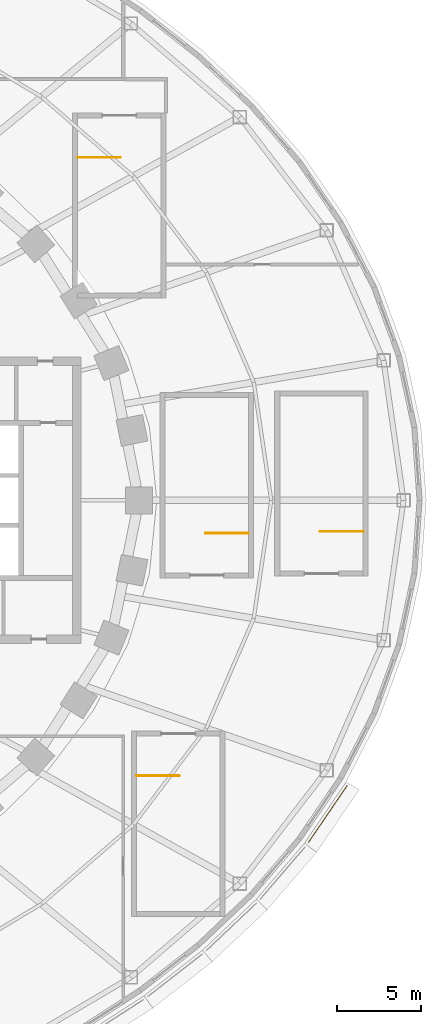
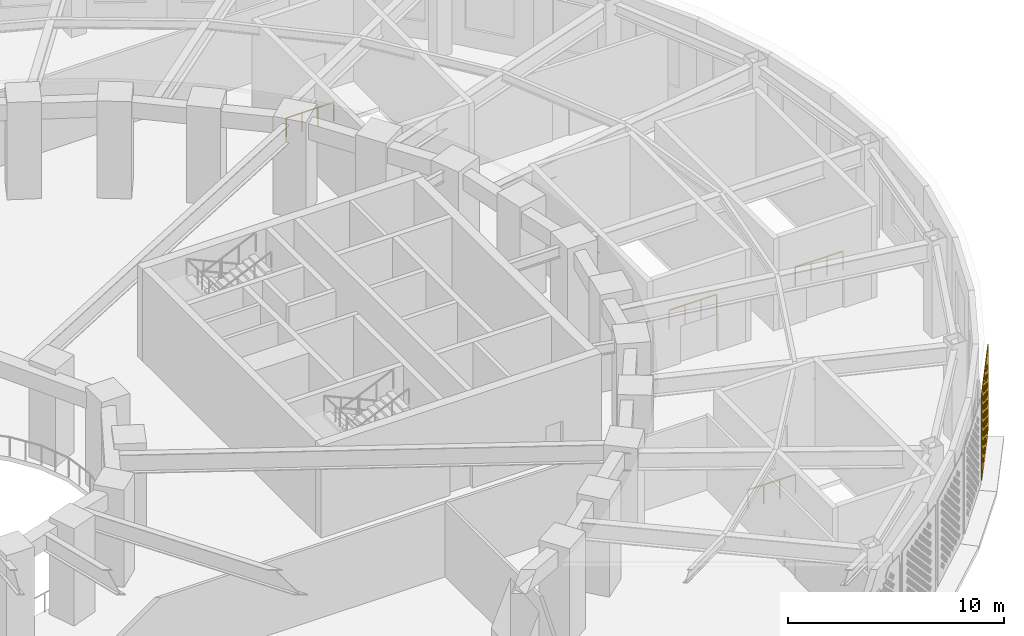
# One storey, part 61 of 63: 4 railings, 1 covering.
"""IFC4 building model written with IfcOpenShell, lengths in metres."""

from ifc_helpers import new_model, si_unit, direction, frame, origin, origin_2d, place, context, subcontext, project, spatial, polyline, rectangle, outline, extrude, material, layer, layer_set, type_object, element, save


model = new_model("IFC4")

# Units and contexts
model_context = context("Model", 3, precision=1e-05, world=origin(), true_north=direction((0.0, 1.0)))
body_context = subcontext(model_context, "Body", "Model", "MODEL_VIEW")
ifc_project = project(units=[si_unit("LENGTHUNIT", "METRE"), si_unit("AREAUNIT", "SQUARE_METRE"), si_unit("VOLUMEUNIT", "CUBIC_METRE"), si_unit("PLANEANGLEUNIT", "RADIAN"), si_unit("MASSUNIT", "GRAM", prefix="KILO")], contexts=[model_context])

# Site, building, storey
site_placement = place(None, origin())
site = spatial("IfcSite", under=ifc_project, at=site_placement, CompositionType="ELEMENT")
building_placement = place(site_placement, origin())
building = spatial("IfcBuilding", under=site, at=building_placement, Name="Noorbagh Ring Tower", CompositionType="ELEMENT")
storey_placement = place(building_placement, frame((0.0, 0.0, 25.0)))
storey = spatial("IfcBuildingStorey", under=building, at=storey_placement, Name="L04", CompositionType="ELEMENT", Elevation=25.0)

# Railings
ifc_material_1 = material(Name="Stainless steel", Category="steel")
railing_type = type_object("IfcRailingType", Name="GND-STAIR-GUARD", PredefinedType="GUARDRAIL", material=ifc_material_1)
for number, where, name in (
    (1, (41.449951171875, -1.949951171875, 0.0), "L04 ST-P2 top well guard"),
    (2, (48.25, -1.85009765625, 0.0), "L04 ST-P4 top well guard"),
):
    element("IfcRailing", number, at=place(storey_placement, frame(where)), inside=storey, type_object=railing_type, Name=name, PredefinedType="GUARDRAIL", context=body_context, shape_type="SweptSolid", body=[
        extrude(rectangle(XDim=0.048095703125, YDim=0.048095703125, at=origin_2d()), frame((0.0, 0.0, 1.076171875), z_axis=(-1.0, 0.0, 0.0), x_axis=(0.0, -1.0, 0.0)), (0.0, 0.0, 1.0), 2.550048828125),
        extrude(rectangle(XDim=0.0419921875, YDim=0.0419921875, at=origin_2d()), origin(), (0.0, 0.0, 1.0), 1.052001953125),
        extrude(rectangle(XDim=0.0419921875, YDim=0.0419921875, at=origin_2d()), frame((-0.85009765625, 0.0, 0.0)), (0.0, 0.0, 1.0), 1.052001953125),
        extrude(rectangle(XDim=0.0419921875, YDim=0.0419921875, at=origin_2d()), frame((-1.699951171875, 0.0, 0.0)), (0.0, 0.0, 1.0), 1.052001953125),
        extrude(rectangle(XDim=0.0419921875, YDim=0.0419921875, at=origin_2d()), frame((-2.550048828125, 0.0, 0.0)), (0.0, 0.0, 1.0), 1.052001953125),
    ])
for number, where, name in (
    (3, (31.300048828125, 20.35009765625, 0.0), "L04 ST-P5 top well guard"),
    (4, (34.800048828125, -16.35009765625, 0.0), "L04 ST-P6 top well guard"),
):
    element("IfcRailing", number, at=place(storey_placement, frame(where)), inside=storey, type_object=railing_type, Name=name, PredefinedType="GUARDRAIL", context=body_context, shape_type="SweptSolid", body=[
        extrude(rectangle(XDim=0.048095703125, YDim=0.048095703125, at=origin_2d()), frame((0.0, 0.0, 1.076171875), z_axis=(1.0, 0.0, 0.0), x_axis=(0.0, 1.0, 0.0)), (0.0, 0.0, 1.0), 2.550048828125),
        extrude(rectangle(XDim=0.0419921875, YDim=0.0419921875, at=origin_2d()), origin(), (0.0, 0.0, 1.0), 1.052001953125),
        extrude(rectangle(XDim=0.0419921875, YDim=0.0419921875, at=origin_2d()), frame((0.85009765625, 0.0, 0.0)), (0.0, 0.0, 1.0), 1.052001953125),
        extrude(rectangle(XDim=0.0419921875, YDim=0.0419921875, at=origin_2d()), frame((1.699951171875, 0.0, 0.0)), (0.0, 0.0, 1.0), 1.052001953125),
        extrude(rectangle(XDim=0.0419921875, YDim=0.0419921875, at=origin_2d()), frame((2.550048828125, 0.0, 0.0)), (0.0, 0.0, 1.0), 1.052001953125),
    ])

# Covering
ifc_material_2 = material(Name="Red sandstone jali", Category="masonry")
ifc_layer = layer(ifc_material_2, 0.0400390625)
ifc_layer_set = layer_set([ifc_layer], Name="Red sandstone jali")
covering_type = type_object("IfcCoveringType", Name="STY-JALI", PredefinedType="USERDEFINED", material=ifc_layer_set)
covering_placement = place(storey_placement, frame((45.01123046875, -20.329833984375, 0.449951171875), z_axis=(0.826637007867, -0.562735512675, 0.0), x_axis=(0.562735512675, 0.826637007867, 0.0)))
element("IfcCovering", 5, at=covering_placement, inside=storey, type_object=covering_type, Name="Jali screen", ObjectType="SCREEN", PredefinedType="USERDEFINED", context=body_context, shape_type="SweptSolid", body=[
    extrude(outline(polyline([(0.0, 0.0), (4.095458984375, 0.0), (4.095458984375, 4.85009765625), (0.0, 4.85009765625), (0.0, 0.0)]), holes=[polyline([(0.74267578125, 0.550048828125), (0.922607421875, 0.3701171875), (1.102783203125, 0.550048828125), (0.922607421875, 0.72998046875), (0.74267578125, 0.550048828125)]), polyline([(1.24267578125, 0.550048828125), (1.422607421875, 0.3701171875), (1.602783203125, 0.550048828125), (1.422607421875, 0.72998046875), (1.24267578125, 0.550048828125)]), polyline([(1.74267578125, 0.550048828125), (1.922607421875, 0.3701171875), (2.102783203125, 0.550048828125), (1.922607421875, 0.72998046875), (1.74267578125, 0.550048828125)]), polyline([(2.24267578125, 0.550048828125), (2.422607421875, 0.3701171875), (2.602783203125, 0.550048828125), (2.422607421875, 0.72998046875), (2.24267578125, 0.550048828125)]), polyline([(2.74267578125, 0.550048828125), (2.922607421875, 0.3701171875), (3.102783203125, 0.550048828125), (2.922607421875, 0.72998046875), (2.74267578125, 0.550048828125)]), polyline([(3.24267578125, 0.550048828125), (3.422607421875, 0.3701171875), (3.602783203125, 0.550048828125), (3.422607421875, 0.72998046875), (3.24267578125, 0.550048828125)]), polyline([(0.49267578125, 0.800048828125), (0.672607421875, 0.6201171875), (0.852783203125, 0.800048828125), (0.672607421875, 0.97998046875), (0.49267578125, 0.800048828125)]), polyline([(0.99267578125, 0.800048828125), (1.172607421875, 0.6201171875), (1.352783203125, 0.800048828125), (1.172607421875, 0.97998046875), (0.99267578125, 0.800048828125)]), polyline([(1.49267578125, 0.800048828125), (1.672607421875, 0.6201171875), (1.852783203125, 0.800048828125), (1.672607421875, 0.97998046875), (1.49267578125, 0.800048828125)]), polyline([(1.99267578125, 0.800048828125), (2.172607421875, 0.6201171875), (2.352783203125, 0.800048828125), (2.172607421875, 0.97998046875), (1.99267578125, 0.800048828125)]), polyline([(2.49267578125, 0.800048828125), (2.672607421875, 0.6201171875), (2.852783203125, 0.800048828125), (2.672607421875, 0.97998046875), (2.49267578125, 0.800048828125)]), polyline([(2.99267578125, 0.800048828125), (3.172607421875, 0.6201171875), (3.352783203125, 0.800048828125), (3.172607421875, 0.97998046875), (2.99267578125, 0.800048828125)]), polyline([(0.74267578125, 1.050048828125), (0.922607421875, 0.8701171875), (1.102783203125, 1.050048828125), (0.922607421875, 1.22998046875), (0.74267578125, 1.050048828125)]), polyline([(1.24267578125, 1.050048828125), (1.422607421875, 0.8701171875), (1.602783203125, 1.050048828125), (1.422607421875, 1.22998046875), (1.24267578125, 1.050048828125)]), polyline([(1.74267578125, 1.050048828125), (1.922607421875, 0.8701171875), (2.102783203125, 1.050048828125), (1.922607421875, 1.22998046875), (1.74267578125, 1.050048828125)]), polyline([(2.24267578125, 1.050048828125), (2.422607421875, 0.8701171875), (2.602783203125, 1.050048828125), (2.422607421875, 1.22998046875), (2.24267578125, 1.050048828125)]), polyline([(2.74267578125, 1.050048828125), (2.922607421875, 0.8701171875), (3.102783203125, 1.050048828125), (2.922607421875, 1.22998046875), (2.74267578125, 1.050048828125)]), polyline([(3.24267578125, 1.050048828125), (3.422607421875, 0.8701171875), (3.602783203125, 1.050048828125), (3.422607421875, 1.22998046875), (3.24267578125, 1.050048828125)]), polyline([(0.49267578125, 1.300048828125), (0.672607421875, 1.1201171875), (0.852783203125, 1.300048828125), (0.672607421875, 1.47998046875), (0.49267578125, 1.300048828125)]), polyline([(0.99267578125, 1.300048828125), (1.172607421875, 1.1201171875), (1.352783203125, 1.300048828125), (1.172607421875, 1.47998046875), (0.99267578125, 1.300048828125)]), polyline([(1.49267578125, 1.300048828125), (1.672607421875, 1.1201171875), (1.852783203125, 1.300048828125), (1.672607421875, 1.47998046875), (1.49267578125, 1.300048828125)]), polyline([(1.99267578125, 1.300048828125), (2.172607421875, 1.1201171875), (2.352783203125, 1.300048828125), (2.172607421875, 1.47998046875), (1.99267578125, 1.300048828125)]), polyline([(2.49267578125, 1.300048828125), (2.672607421875, 1.1201171875), (2.852783203125, 1.300048828125), (2.672607421875, 1.47998046875), (2.49267578125, 1.300048828125)]), polyline([(2.99267578125, 1.300048828125), (3.172607421875, 1.1201171875), (3.352783203125, 1.300048828125), (3.172607421875, 1.47998046875), (2.99267578125, 1.300048828125)]), polyline([(0.74267578125, 1.550048828125), (0.922607421875, 1.3701171875), (1.102783203125, 1.550048828125), (0.922607421875, 1.72998046875), (0.74267578125, 1.550048828125)]), polyline([(1.24267578125, 1.550048828125), (1.422607421875, 1.3701171875), (1.602783203125, 1.550048828125), (1.422607421875, 1.72998046875), (1.24267578125, 1.550048828125)]), polyline([(1.74267578125, 1.550048828125), (1.922607421875, 1.3701171875), (2.102783203125, 1.550048828125), (1.922607421875, 1.72998046875), (1.74267578125, 1.550048828125)]), polyline([(2.24267578125, 1.550048828125), (2.422607421875, 1.3701171875), (2.602783203125, 1.550048828125), (2.422607421875, 1.72998046875), (2.24267578125, 1.550048828125)]), polyline([(2.74267578125, 1.550048828125), (2.922607421875, 1.3701171875), (3.102783203125, 1.550048828125), (2.922607421875, 1.72998046875), (2.74267578125, 1.550048828125)]), polyline([(3.24267578125, 1.550048828125), (3.422607421875, 1.3701171875), (3.602783203125, 1.550048828125), (3.422607421875, 1.72998046875), (3.24267578125, 1.550048828125)]), polyline([(0.49267578125, 1.800048828125), (0.672607421875, 1.6201171875), (0.852783203125, 1.800048828125), (0.672607421875, 1.97998046875), (0.49267578125, 1.800048828125)]), polyline([(0.99267578125, 1.800048828125), (1.172607421875, 1.6201171875), (1.352783203125, 1.800048828125), (1.172607421875, 1.97998046875), (0.99267578125, 1.800048828125)]), polyline([(1.49267578125, 1.800048828125), (1.672607421875, 1.6201171875), (1.852783203125, 1.800048828125), (1.672607421875, 1.97998046875), (1.49267578125, 1.800048828125)]), polyline([(1.99267578125, 1.800048828125), (2.172607421875, 1.6201171875), (2.352783203125, 1.800048828125), (2.172607421875, 1.97998046875), (1.99267578125, 1.800048828125)]), polyline([(2.49267578125, 1.800048828125), (2.672607421875, 1.6201171875), (2.852783203125, 1.800048828125), (2.672607421875, 1.97998046875), (2.49267578125, 1.800048828125)]), polyline([(2.99267578125, 1.800048828125), (3.172607421875, 1.6201171875), (3.352783203125, 1.800048828125), (3.172607421875, 1.97998046875), (2.99267578125, 1.800048828125)]), polyline([(0.74267578125, 2.050048828125), (0.922607421875, 1.8701171875), (1.102783203125, 2.050048828125), (0.922607421875, 2.22998046875), (0.74267578125, 2.050048828125)]), polyline([(1.24267578125, 2.050048828125), (1.422607421875, 1.8701171875), (1.602783203125, 2.050048828125), (1.422607421875, 2.22998046875), (1.24267578125, 2.050048828125)]), polyline([(1.74267578125, 2.050048828125), (1.922607421875, 1.8701171875), (2.102783203125, 2.050048828125), (1.922607421875, 2.22998046875), (1.74267578125, 2.050048828125)]), polyline([(2.24267578125, 2.050048828125), (2.422607421875, 1.8701171875), (2.602783203125, 2.050048828125), (2.422607421875, 2.22998046875), (2.24267578125, 2.050048828125)]), polyline([(2.74267578125, 2.050048828125), (2.922607421875, 1.8701171875), (3.102783203125, 2.050048828125), (2.922607421875, 2.22998046875), (2.74267578125, 2.050048828125)]), polyline([(3.24267578125, 2.050048828125), (3.422607421875, 1.8701171875), (3.602783203125, 2.050048828125), (3.422607421875, 2.22998046875), (3.24267578125, 2.050048828125)]), polyline([(0.49267578125, 2.300048828125), (0.672607421875, 2.1201171875), (0.852783203125, 2.300048828125), (0.672607421875, 2.47998046875), (0.49267578125, 2.300048828125)]), polyline([(0.99267578125, 2.300048828125), (1.172607421875, 2.1201171875), (1.352783203125, 2.300048828125), (1.172607421875, 2.47998046875), (0.99267578125, 2.300048828125)]), polyline([(1.49267578125, 2.300048828125), (1.672607421875, 2.1201171875), (1.852783203125, 2.300048828125), (1.672607421875, 2.47998046875), (1.49267578125, 2.300048828125)]), polyline([(1.99267578125, 2.300048828125), (2.172607421875, 2.1201171875), (2.352783203125, 2.300048828125), (2.172607421875, 2.47998046875), (1.99267578125, 2.300048828125)]), polyline([(2.49267578125, 2.300048828125), (2.672607421875, 2.1201171875), (2.852783203125, 2.300048828125), (2.672607421875, 2.47998046875), (2.49267578125, 2.300048828125)]), polyline([(2.99267578125, 2.300048828125), (3.172607421875, 2.1201171875), (3.352783203125, 2.300048828125), (3.172607421875, 2.47998046875), (2.99267578125, 2.300048828125)]), polyline([(0.74267578125, 2.550048828125), (0.922607421875, 2.3701171875), (1.102783203125, 2.550048828125), (0.922607421875, 2.72998046875), (0.74267578125, 2.550048828125)]), polyline([(1.24267578125, 2.550048828125), (1.422607421875, 2.3701171875), (1.602783203125, 2.550048828125), (1.422607421875, 2.72998046875), (1.24267578125, 2.550048828125)]), polyline([(1.74267578125, 2.550048828125), (1.922607421875, 2.3701171875), (2.102783203125, 2.550048828125), (1.922607421875, 2.72998046875), (1.74267578125, 2.550048828125)]), polyline([(2.24267578125, 2.550048828125), (2.422607421875, 2.3701171875), (2.602783203125, 2.550048828125), (2.422607421875, 2.72998046875), (2.24267578125, 2.550048828125)]), polyline([(2.74267578125, 2.550048828125), (2.922607421875, 2.3701171875), (3.102783203125, 2.550048828125), (2.922607421875, 2.72998046875), (2.74267578125, 2.550048828125)]), polyline([(3.24267578125, 2.550048828125), (3.422607421875, 2.3701171875), (3.602783203125, 2.550048828125), (3.422607421875, 2.72998046875), (3.24267578125, 2.550048828125)]), polyline([(0.49267578125, 2.800048828125), (0.672607421875, 2.6201171875), (0.852783203125, 2.800048828125), (0.672607421875, 2.97998046875), (0.49267578125, 2.800048828125)]), polyline([(0.99267578125, 2.800048828125), (1.172607421875, 2.6201171875), (1.352783203125, 2.800048828125), (1.172607421875, 2.97998046875), (0.99267578125, 2.800048828125)]), polyline([(1.49267578125, 2.800048828125), (1.672607421875, 2.6201171875), (1.852783203125, 2.800048828125), (1.672607421875, 2.97998046875), (1.49267578125, 2.800048828125)]), polyline([(1.99267578125, 2.800048828125), (2.172607421875, 2.6201171875), (2.352783203125, 2.800048828125), (2.172607421875, 2.97998046875), (1.99267578125, 2.800048828125)]), polyline([(2.49267578125, 2.800048828125), (2.672607421875, 2.6201171875), (2.852783203125, 2.800048828125), (2.672607421875, 2.97998046875), (2.49267578125, 2.800048828125)]), polyline([(2.99267578125, 2.800048828125), (3.172607421875, 2.6201171875), (3.352783203125, 2.800048828125), (3.172607421875, 2.97998046875), (2.99267578125, 2.800048828125)]), polyline([(0.74267578125, 3.050048828125), (0.922607421875, 2.8701171875), (1.102783203125, 3.050048828125), (0.922607421875, 3.22998046875), (0.74267578125, 3.050048828125)]), polyline([(1.24267578125, 3.050048828125), (1.422607421875, 2.8701171875), (1.602783203125, 3.050048828125), (1.422607421875, 3.22998046875), (1.24267578125, 3.050048828125)]), polyline([(1.74267578125, 3.050048828125), (1.922607421875, 2.8701171875), (2.102783203125, 3.050048828125), (1.922607421875, 3.22998046875), (1.74267578125, 3.050048828125)]), polyline([(2.24267578125, 3.050048828125), (2.422607421875, 2.8701171875), (2.602783203125, 3.050048828125), (2.422607421875, 3.22998046875), (2.24267578125, 3.050048828125)]), polyline([(2.74267578125, 3.050048828125), (2.922607421875, 2.8701171875), (3.102783203125, 3.050048828125), (2.922607421875, 3.22998046875), (2.74267578125, 3.050048828125)]), polyline([(3.24267578125, 3.050048828125), (3.422607421875, 2.8701171875), (3.602783203125, 3.050048828125), (3.422607421875, 3.22998046875), (3.24267578125, 3.050048828125)]), polyline([(0.49267578125, 3.300048828125), (0.672607421875, 3.1201171875), (0.852783203125, 3.300048828125), (0.672607421875, 3.47998046875), (0.49267578125, 3.300048828125)]), polyline([(0.99267578125, 3.300048828125), (1.172607421875, 3.1201171875), (1.352783203125, 3.300048828125), (1.172607421875, 3.47998046875), (0.99267578125, 3.300048828125)]), polyline([(1.49267578125, 3.300048828125), (1.672607421875, 3.1201171875), (1.852783203125, 3.300048828125), (1.672607421875, 3.47998046875), (1.49267578125, 3.300048828125)]), polyline([(1.99267578125, 3.300048828125), (2.172607421875, 3.1201171875), (2.352783203125, 3.300048828125), (2.172607421875, 3.47998046875), (1.99267578125, 3.300048828125)]), polyline([(2.49267578125, 3.300048828125), (2.672607421875, 3.1201171875), (2.852783203125, 3.300048828125), (2.672607421875, 3.47998046875), (2.49267578125, 3.300048828125)]), polyline([(2.99267578125, 3.300048828125), (3.172607421875, 3.1201171875), (3.352783203125, 3.300048828125), (3.172607421875, 3.47998046875), (2.99267578125, 3.300048828125)]), polyline([(0.74267578125, 3.550048828125), (0.922607421875, 3.3701171875), (1.102783203125, 3.550048828125), (0.922607421875, 3.72998046875), (0.74267578125, 3.550048828125)]), polyline([(1.24267578125, 3.550048828125), (1.422607421875, 3.3701171875), (1.602783203125, 3.550048828125), (1.422607421875, 3.72998046875), (1.24267578125, 3.550048828125)]), polyline([(1.74267578125, 3.550048828125), (1.922607421875, 3.3701171875), (2.102783203125, 3.550048828125), (1.922607421875, 3.72998046875), (1.74267578125, 3.550048828125)]), polyline([(2.24267578125, 3.550048828125), (2.422607421875, 3.3701171875), (2.602783203125, 3.550048828125), (2.422607421875, 3.72998046875), (2.24267578125, 3.550048828125)]), polyline([(2.74267578125, 3.550048828125), (2.922607421875, 3.3701171875), (3.102783203125, 3.550048828125), (2.922607421875, 3.72998046875), (2.74267578125, 3.550048828125)]), polyline([(3.24267578125, 3.550048828125), (3.422607421875, 3.3701171875), (3.602783203125, 3.550048828125), (3.422607421875, 3.72998046875), (3.24267578125, 3.550048828125)]), polyline([(0.49267578125, 3.800048828125), (0.672607421875, 3.6201171875), (0.852783203125, 3.800048828125), (0.672607421875, 3.97998046875), (0.49267578125, 3.800048828125)]), polyline([(0.99267578125, 3.800048828125), (1.172607421875, 3.6201171875), (1.352783203125, 3.800048828125), (1.172607421875, 3.97998046875), (0.99267578125, 3.800048828125)]), polyline([(1.49267578125, 3.800048828125), (1.672607421875, 3.6201171875), (1.852783203125, 3.800048828125), (1.672607421875, 3.97998046875), (1.49267578125, 3.800048828125)]), polyline([(1.99267578125, 3.800048828125), (2.172607421875, 3.6201171875), (2.352783203125, 3.800048828125), (2.172607421875, 3.97998046875), (1.99267578125, 3.800048828125)]), polyline([(2.49267578125, 3.800048828125), (2.672607421875, 3.6201171875), (2.852783203125, 3.800048828125), (2.672607421875, 3.97998046875), (2.49267578125, 3.800048828125)]), polyline([(2.99267578125, 3.800048828125), (3.172607421875, 3.6201171875), (3.352783203125, 3.800048828125), (3.172607421875, 3.97998046875), (2.99267578125, 3.800048828125)]), polyline([(0.74267578125, 4.050048828125), (0.922607421875, 3.8701171875), (1.102783203125, 4.050048828125), (0.922607421875, 4.22998046875), (0.74267578125, 4.050048828125)]), polyline([(1.24267578125, 4.050048828125), (1.422607421875, 3.8701171875), (1.602783203125, 4.050048828125), (1.422607421875, 4.22998046875), (1.24267578125, 4.050048828125)]), polyline([(1.74267578125, 4.050048828125), (1.922607421875, 3.8701171875), (2.102783203125, 4.050048828125), (1.922607421875, 4.22998046875), (1.74267578125, 4.050048828125)]), polyline([(2.24267578125, 4.050048828125), (2.422607421875, 3.8701171875), (2.602783203125, 4.050048828125), (2.422607421875, 4.22998046875), (2.24267578125, 4.050048828125)]), polyline([(2.74267578125, 4.050048828125), (2.922607421875, 3.8701171875), (3.102783203125, 4.050048828125), (2.922607421875, 4.22998046875), (2.74267578125, 4.050048828125)]), polyline([(3.24267578125, 4.050048828125), (3.422607421875, 3.8701171875), (3.602783203125, 4.050048828125), (3.422607421875, 4.22998046875), (3.24267578125, 4.050048828125)]), polyline([(0.49267578125, 4.300048828125), (0.672607421875, 4.1201171875), (0.852783203125, 4.300048828125), (0.672607421875, 4.47998046875), (0.49267578125, 4.300048828125)]), polyline([(0.99267578125, 4.300048828125), (1.172607421875, 4.1201171875), (1.352783203125, 4.300048828125), (1.172607421875, 4.47998046875), (0.99267578125, 4.300048828125)]), polyline([(1.49267578125, 4.300048828125), (1.672607421875, 4.1201171875), (1.852783203125, 4.300048828125), (1.672607421875, 4.47998046875), (1.49267578125, 4.300048828125)]), polyline([(1.99267578125, 4.300048828125), (2.172607421875, 4.1201171875), (2.352783203125, 4.300048828125), (2.172607421875, 4.47998046875), (1.99267578125, 4.300048828125)]), polyline([(2.49267578125, 4.300048828125), (2.672607421875, 4.1201171875), (2.852783203125, 4.300048828125), (2.672607421875, 4.47998046875), (2.49267578125, 4.300048828125)]), polyline([(2.99267578125, 4.300048828125), (3.172607421875, 4.1201171875), (3.352783203125, 4.300048828125), (3.172607421875, 4.47998046875), (2.99267578125, 4.300048828125)])]), origin(), (0.0, 0.0, -1.0), 0.0400390625),
])

save(model, "model.ifc")
